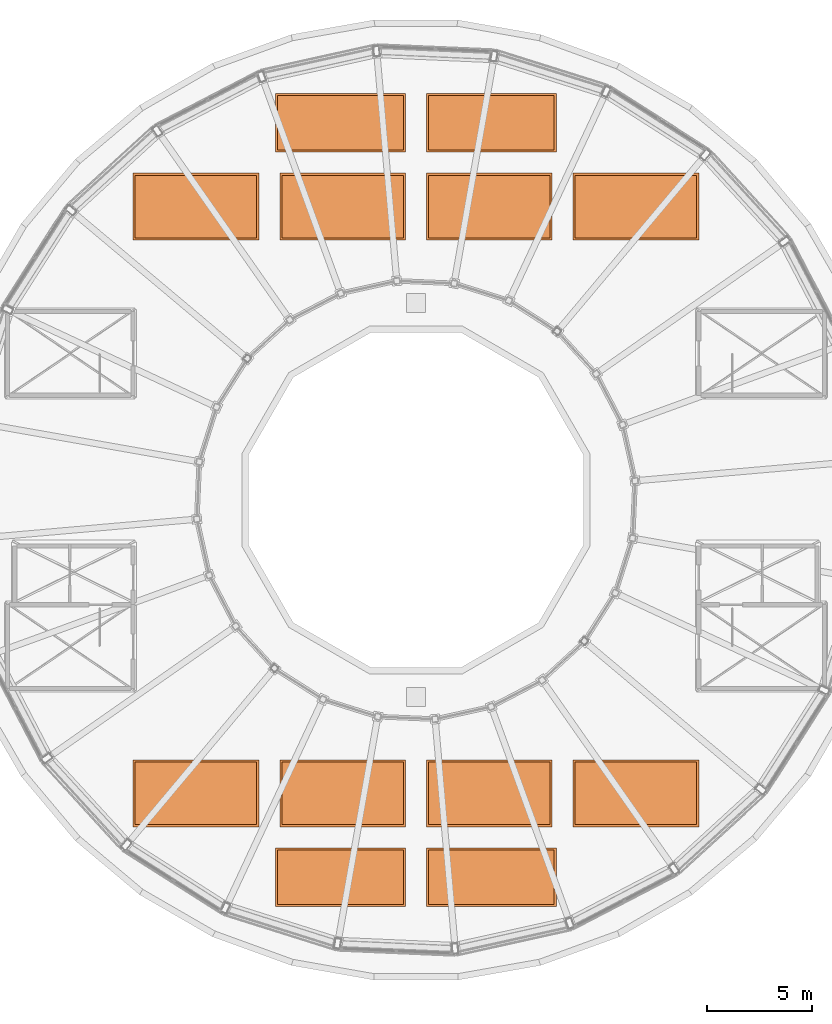
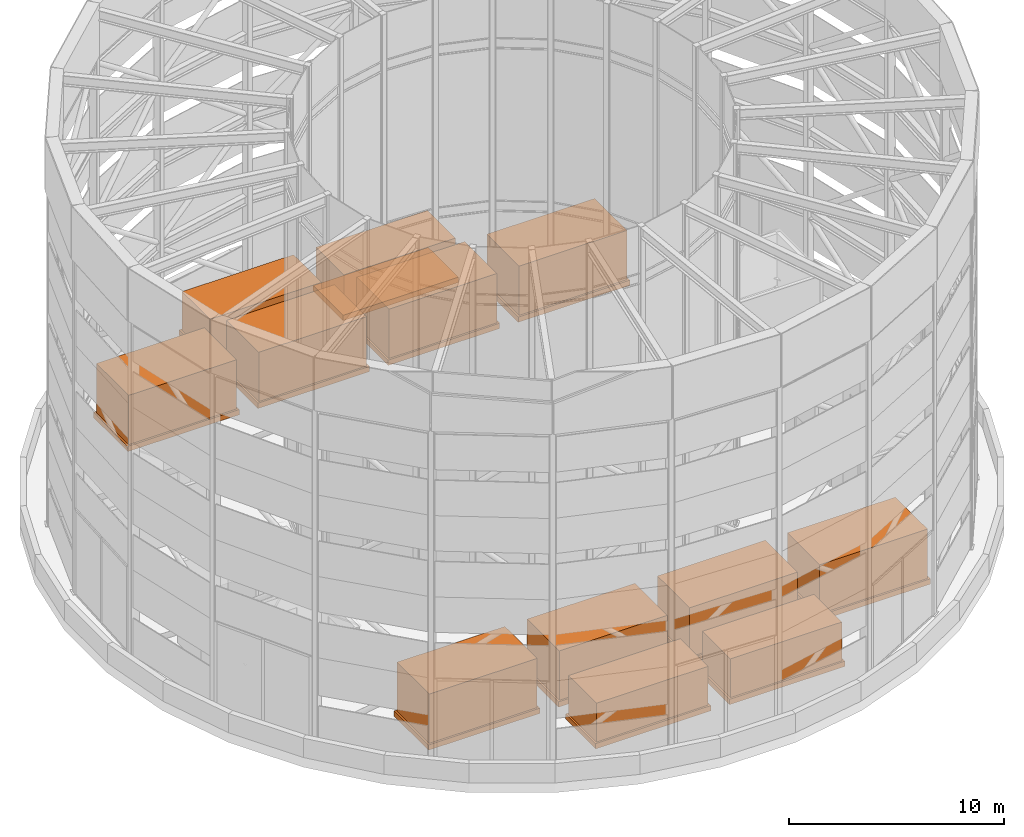
# One storey, part 20 of 20: 24 proxies.
"""IFC4 building model written with IfcOpenShell, lengths in metres."""

from ifc_helpers import new_model, si_unit, direction, frame, origin, origin_2d, place, context, subcontext, project, spatial, rectangle, extrude, material, type_object, element, save


model = new_model("IFC4")

# Units and contexts
model_context = context("Model", 3, precision=1e-05, world=origin(), true_north=direction((0.0, 1.0)))
body_context = subcontext(model_context, "Body", "Model", "MODEL_VIEW")
ifc_project = project(units=[si_unit("LENGTHUNIT", "METRE"), si_unit("AREAUNIT", "SQUARE_METRE"), si_unit("VOLUMEUNIT", "CUBIC_METRE"), si_unit("PLANEANGLEUNIT", "RADIAN"), si_unit("MASSUNIT", "GRAM", prefix="KILO")], contexts=[model_context])

# Site, building, storey
site_placement = place(None, origin())
site = spatial("IfcSite", under=ifc_project, at=site_placement, CompositionType="ELEMENT")
building_placement = place(site_placement, origin())
building = spatial("IfcBuilding", under=site, at=building_placement, Name="Saqina Gate Tower", CompositionType="ELEMENT")
storey_placement = place(building_placement, frame((0.0, 0.0, 284.199951171875)))
storey = spatial("IfcBuildingStorey", under=building, at=storey_placement, Name="RF", CompositionType="ELEMENT", Elevation=284.199951171875)

# Proxies
ifc_material_1 = material(Name="Galvanised steel", Category="steel")
building_element_proxy_type_1 = type_object("IfcBuildingElementProxyType", Name="ROOF PLANT AIR HANDLING UNIT", PredefinedType="NOTDEFINED", material=ifc_material_1)
for number, where, z_axis, x_axis, name in (
    (1, (-10.5, 14.0, 0.2998046875), (0.0, 0.0, 1.0), (1.0, 0.0, 0.0), "Roof plant air handling unit RAH1"),
    (2, (-3.5, 14.0, 0.2998046875), (0.0, 0.0, 1.0), (1.0, 0.0, 0.0), "Roof plant air handling unit RAH2"),
    (3, (3.5, 14.0, 0.2998046875), (0.0, 0.0, 1.0), (1.0, 0.0, 0.0), "Roof plant air handling unit RAH3"),
    (4, (10.5, 14.0, 0.2998046875), (0.0, 0.0, 1.0), (1.0, 0.0, 0.0), "Roof plant air handling unit RAH4"),
    (5, (10.5, -14.0, 0.2998046875), (0.0, 0.0, 1.0), (1.0, 0.0, 0.0), "Roof plant air handling unit RAH5"),
    (6, (3.5, -14.0, 0.2998046875), (0.0, 0.0, 1.0), (1.0, 0.0, 0.0), "Roof plant air handling unit RAH6"),
    (7, (-3.5, -14.0, 0.2998046875), (0.0, 0.0, 1.0), (1.0, 0.0, 0.0), "Roof plant air handling unit RAH7"),
    (8, (-10.5, -14.0, 0.2998046875), (0.0, 0.0, 1.0), (1.0, 0.0, 0.0), "Roof plant air handling unit RAH8"),
):
    element("IfcBuildingElementProxy", number, at=place(storey_placement, frame(where, z_axis=z_axis, x_axis=x_axis)), inside=storey, type_object=building_element_proxy_type_1, Name=name, PredefinedType="NOTDEFINED", context=body_context, shape_type="SweptSolid", body=[
        extrude(rectangle(XDim=5.800048828125, YDim=3.0, at=origin_2d()), origin(), (0.0, 0.0, 1.0), 2.800048828125),
    ])
ifc_material_2 = material(Name="Concrete C40/50", Category="concrete")
building_element_proxy_type_2 = type_object("IfcBuildingElementProxyType", Name="ROOF PLANT PLINTH", PredefinedType="NOTDEFINED", material=ifc_material_2)
for number, where, z_axis, x_axis, name in (
    (9, (-10.5, 14.0, 0.0), (0.0, 0.0, 1.0), (1.0, 0.0, 0.0), "Roof plant plinth RAH1"),
    (10, (-3.5, 14.0, 0.0), (0.0, 0.0, 1.0), (1.0, 0.0, 0.0), "Roof plant plinth RAH2"),
    (11, (3.5, 14.0, 0.0), (0.0, 0.0, 1.0), (1.0, 0.0, 0.0), "Roof plant plinth RAH3"),
    (12, (10.5, 14.0, 0.0), (0.0, 0.0, 1.0), (1.0, 0.0, 0.0), "Roof plant plinth RAH4"),
):
    element("IfcBuildingElementProxy", number, at=place(storey_placement, frame(where, z_axis=z_axis, x_axis=x_axis)), inside=storey, type_object=building_element_proxy_type_2, Name=name, PredefinedType="NOTDEFINED", context=body_context, shape_type="SweptSolid", body=[
        extrude(rectangle(XDim=6.0, YDim=3.199951171875, at=origin_2d()), origin(), (0.0, 0.0, 1.0), 0.300048828125),
    ])
for number, where, z_axis, x_axis, name in (
    (13, (-3.60009765625, 18.0, 0.0), (0.0, 0.0, 1.0), (1.0, 0.0, 0.0), "Roof plant plinth RPF1"),
    (14, (3.60009765625, 18.0, 0.0), (0.0, 0.0, 1.0), (1.0, 0.0, 0.0), "Roof plant plinth RPF2"),
):
    element("IfcBuildingElementProxy", number, at=place(storey_placement, frame(where, z_axis=z_axis, x_axis=x_axis)), inside=storey, type_object=building_element_proxy_type_2, Name=name, PredefinedType="NOTDEFINED", context=body_context, shape_type="SweptSolid", body=[
        extrude(rectangle(XDim=6.199951171875, YDim=2.800048828125, at=origin_2d()), origin(), (0.0, 0.0, 1.0), 0.300048828125),
    ])
for number, where, z_axis, x_axis, name in (
    (15, (10.5, -14.0, 0.0), (0.0, 0.0, 1.0), (1.0, 0.0, 0.0), "Roof plant plinth RAH5"),
    (16, (3.5, -14.0, 0.0), (0.0, 0.0, 1.0), (1.0, 0.0, 0.0), "Roof plant plinth RAH6"),
    (17, (-3.5, -14.0, 0.0), (0.0, 0.0, 1.0), (1.0, 0.0, 0.0), "Roof plant plinth RAH7"),
    (18, (-10.5, -14.0, 0.0), (0.0, 0.0, 1.0), (1.0, 0.0, 0.0), "Roof plant plinth RAH8"),
):
    element("IfcBuildingElementProxy", number, at=place(storey_placement, frame(where, z_axis=z_axis, x_axis=x_axis)), inside=storey, type_object=building_element_proxy_type_2, Name=name, PredefinedType="NOTDEFINED", context=body_context, shape_type="SweptSolid", body=[
        extrude(rectangle(XDim=6.0, YDim=3.199951171875, at=origin_2d()), origin(), (0.0, 0.0, 1.0), 0.300048828125),
    ])
for number, where, z_axis, x_axis, name in (
    (19, (3.60009765625, -18.0, 0.0), (0.0, 0.0, 1.0), (1.0, 0.0, 0.0), "Roof plant plinth RPF3"),
    (20, (-3.60009765625, -18.0, 0.0), (0.0, 0.0, 1.0), (1.0, 0.0, 0.0), "Roof plant plinth RPF4"),
):
    element("IfcBuildingElementProxy", number, at=place(storey_placement, frame(where, z_axis=z_axis, x_axis=x_axis)), inside=storey, type_object=building_element_proxy_type_2, Name=name, PredefinedType="NOTDEFINED", context=body_context, shape_type="SweptSolid", body=[
        extrude(rectangle(XDim=6.199951171875, YDim=2.800048828125, at=origin_2d()), origin(), (0.0, 0.0, 1.0), 0.300048828125),
    ])
ifc_material_3 = material(Name="Galvanised steel", Category="steel")
building_element_proxy_type_3 = type_object("IfcBuildingElementProxyType", Name="ROOF PLANT PRESSURISATION FAN SET", PredefinedType="NOTDEFINED", material=ifc_material_3)
for number, where, z_axis, x_axis, name in (
    (21, (-3.60009765625, 18.0, 0.30029296875), (0.0, 0.0, 1.0), (1.0, 0.0, 0.0), "Roof plant pressurisation fan set RPF1"),
    (22, (3.60009765625, 18.0, 0.30029296875), (0.0, 0.0, 1.0), (1.0, 0.0, 0.0), "Roof plant pressurisation fan set RPF2"),
    (23, (3.60009765625, -18.0, 0.30029296875), (0.0, 0.0, 1.0), (1.0, 0.0, 0.0), "Roof plant pressurisation fan set RPF3"),
    (24, (-3.60009765625, -18.0, 0.30029296875), (0.0, 0.0, 1.0), (1.0, 0.0, 0.0), "Roof plant pressurisation fan set RPF4"),
):
    element("IfcBuildingElementProxy", number, at=place(storey_placement, frame(where, z_axis=z_axis, x_axis=x_axis)), inside=storey, type_object=building_element_proxy_type_3, Name=name, PredefinedType="NOTDEFINED", context=body_context, shape_type="SweptSolid", body=[
        extrude(rectangle(XDim=6.0, YDim=2.60009765625, at=origin_2d()), origin(), (0.0, 0.0, 1.0), 2.199951171875),
    ])

save(model, "model.ifc")
